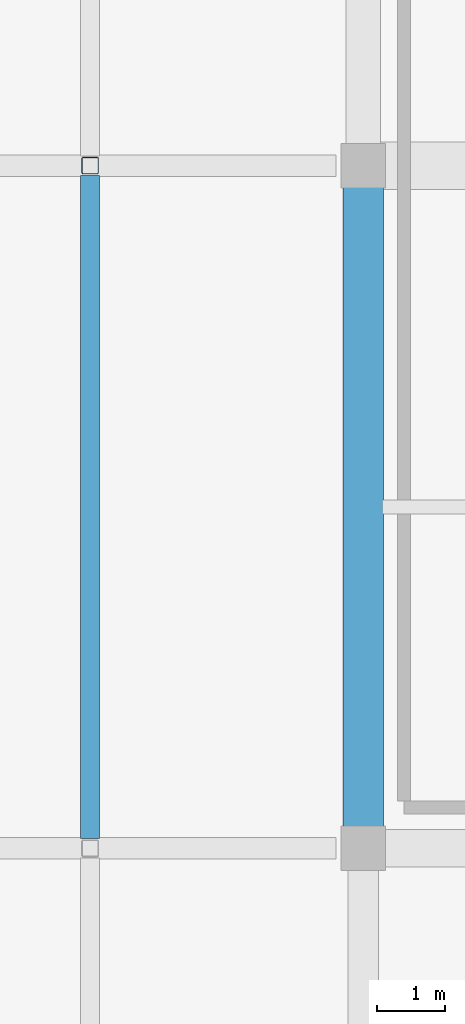
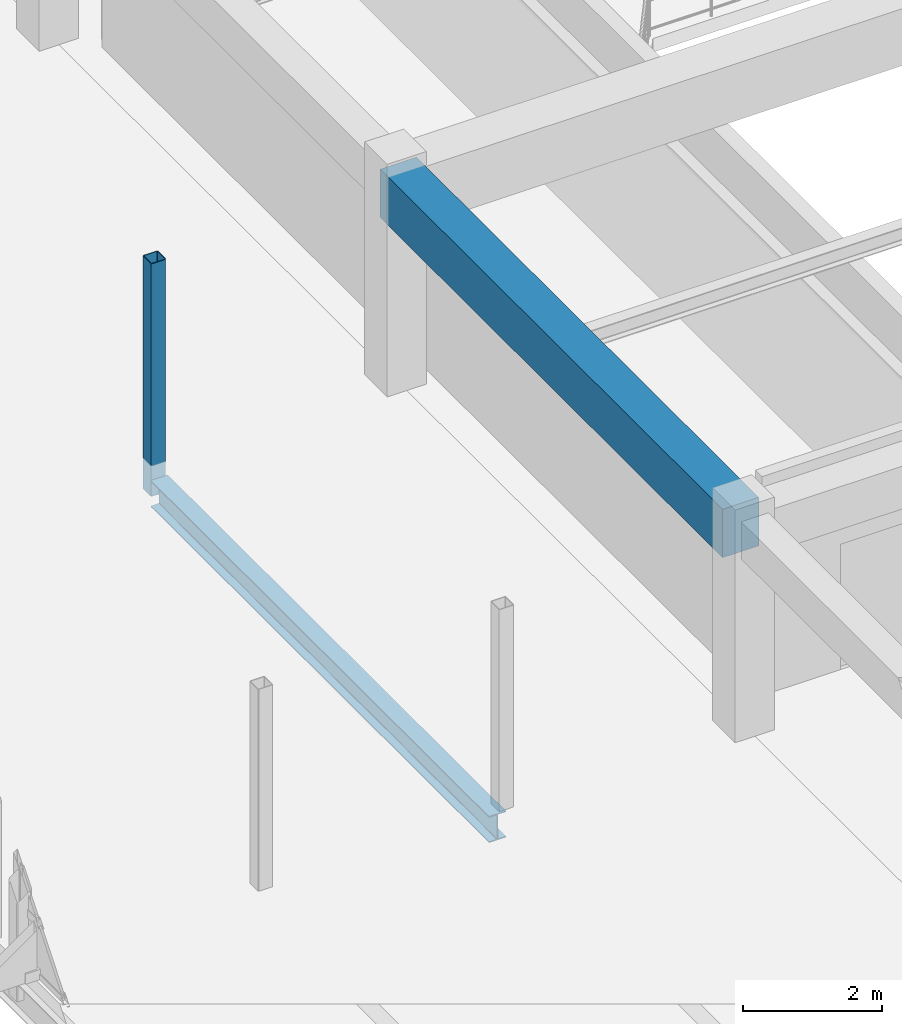
# One storey, part 26 of 80: 2 beams, 1 member.
"""IFC4 building model written with IfcOpenShell, lengths in metres."""

from ifc_helpers import new_model, si_unit, direction, frame, origin, origin_2d, place, context, subcontext, project, spatial, rectangle, hollow_rectangle, i_section, extrude, material, material_profile, profile_set, type_object, element, save


model = new_model("IFC4")

# Units and contexts
model_context = context("Model", 3, precision=1e-05, world=origin(), true_north=direction((0.0, 1.0)))
body_context = subcontext(model_context, "Body", "Model", "MODEL_VIEW")
ifc_project = project(units=[si_unit("LENGTHUNIT", "METRE"), si_unit("AREAUNIT", "SQUARE_METRE"), si_unit("VOLUMEUNIT", "CUBIC_METRE"), si_unit("PLANEANGLEUNIT", "RADIAN"), si_unit("MASSUNIT", "GRAM", prefix="KILO")], contexts=[model_context])

# Site, building, storey
site_placement = place(None, origin())
site = spatial("IfcSite", under=ifc_project, at=site_placement, CompositionType="ELEMENT")
building_placement = place(site_placement, origin())
building = spatial("IfcBuilding", under=site, at=building_placement, Name="Miravela Opera House", CompositionType="ELEMENT")
storey_placement = place(building_placement, frame((0.0, 0.0, 17.679931640625)))
storey = spatial("IfcBuildingStorey", under=building, at=storey_placement, Name="L04", CompositionType="ELEMENT", Elevation=17.679931640625)

# Beams
ifc_material_1 = material(Name="Concrete C40/50", Category="concrete")
ifc_material_profile_1 = material_profile(ifc_material_1, rectangle(XDim=0.60009765625, YDim=0.85009765625, at=origin_2d()), Name="RC-BM-600X850")
ifc_profile_set_1 = profile_set([ifc_material_profile_1])
beam_type_1 = type_object("IfcBeamType", Name="STR-BM-RC600X850", PredefinedType="BEAM", material=ifc_profile_set_1)
beam_1_placement = place(storey_placement, frame((27.0, 46.080078125, 3.4150390625), z_axis=(0.0, 1.0, 0.0), x_axis=(-1.0, 0.0, 0.0)))
element("IfcBeam", 1, at=beam_1_placement, inside=storey, type_object=beam_type_1, Name="Floor Girder L04 4/F-G", PredefinedType="BEAM", context=body_context, shape_type="SweptSolid", body=[
    extrude(rectangle(XDim=0.60009765625, YDim=0.85009765625, at=origin_2d()), origin(), (0.0, 0.0, 1.0), 9.83984375),
])
ifc_material_2 = material(Name="Structural steel ASTM A992 Gr. 50", Category="steel")
ifc_material_profile_2 = material_profile(ifc_material_2, i_section(OverallWidth=0.280029296875, OverallDepth=0.462890625, WebThickness=0.0107421875, FlangeThickness=0.017333984375, FilletRadius=0.014892578125, at=origin_2d()), Name="W460X113")
ifc_profile_set_2 = profile_set([ifc_material_profile_2])
beam_type_2 = type_object("IfcBeamType", Name="STR-BM-W460X113", PredefinedType="BEAM", material=ifc_profile_set_2)
beam_2_placement = place(storey_placement, frame((23.0, 46.14111328125, -0.471435546875), z_axis=(0.0, 1.0, 0.0), x_axis=(-1.0, 0.0, 0.0)))
element("IfcBeam", 2, at=beam_2_placement, inside=storey, type_object=beam_type_2, Name="Cantilever Overhang Beam L04 X=23", PredefinedType="BEAM", context=body_context, shape_type="SweptSolid", body=[
    extrude(i_section(OverallWidth=0.280029296875, OverallDepth=0.462890625, WebThickness=0.0107421875, FlangeThickness=0.017333984375, FilletRadius=0.014892578125, at=origin_2d()), origin(), (0.0, 0.0, 1.0), 9.7177734375),
])

# Member
ifc_material_3 = material(Name="Hollow structural steel ASTM A500 Gr. C", Category="steel")
ifc_material_profile_3 = material_profile(ifc_material_3, hollow_rectangle(XDim=0.25, YDim=0.25, WallThickness=0.011962890625, InnerFilletRadius=0.011962890625, OuterFilletRadius=0.02392578125, at=origin_2d()), Name="HSS250X250X12")
ifc_profile_set_3 = profile_set([ifc_material_profile_3])
member_type = type_object("IfcMemberType", Name="STR-MEM-CANT-POST2", PredefinedType="POST", material=ifc_profile_set_3)
member_placement = place(storey_placement, frame((23.0, 56.0, -0.5400390625), z_axis=(0.0, 0.0, 1.0), x_axis=(1.0, 0.0, 0.0)))
element("IfcMember", 3, at=member_placement, inside=storey, type_object=member_type, Name="Upper Wrapper Truss Post L04 X=23.0", PredefinedType="POST", context=body_context, shape_type="SweptSolid", body=[
    extrude(hollow_rectangle(XDim=0.25, YDim=0.25, WallThickness=0.011962890625, InnerFilletRadius=0.011962890625, OuterFilletRadius=0.02392578125, at=origin_2d()), origin(), (0.0, 0.0, 1.0), 4.080078125),
])

save(model, "model.ifc")
